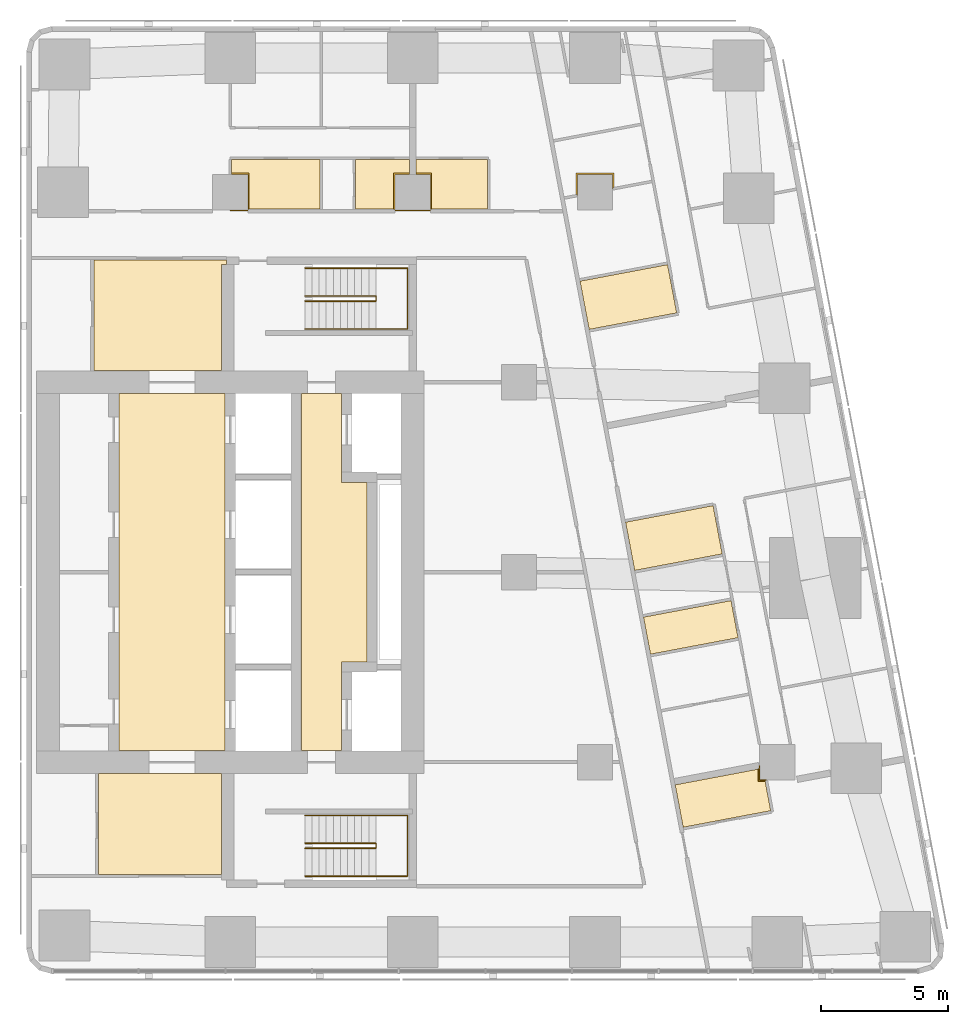
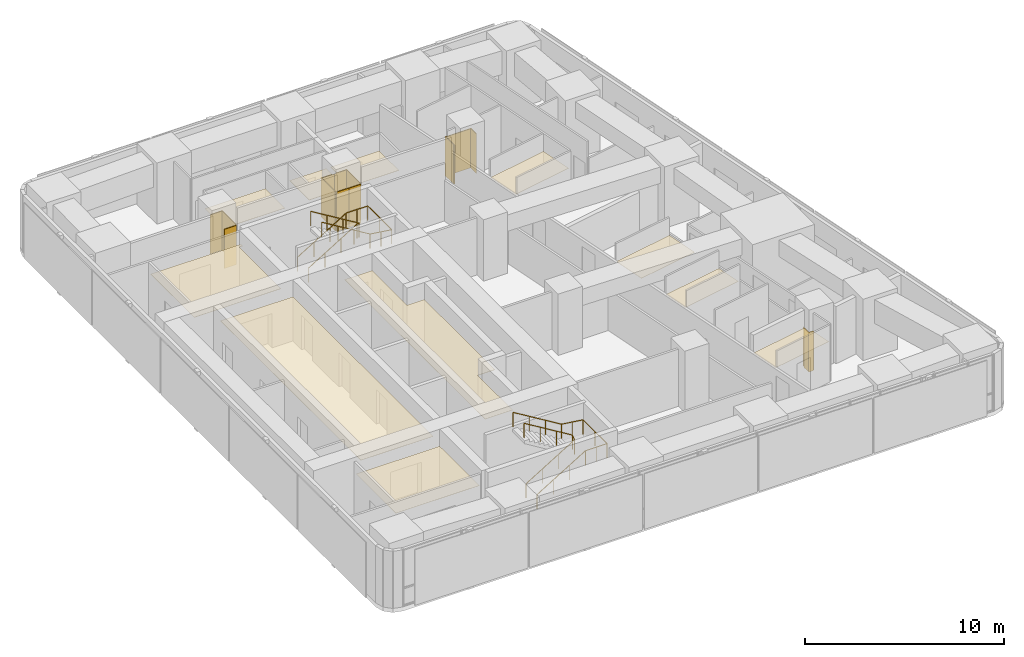
# One storey, part 11 of 11: 16 coverings, 4 railings.
"""IFC4 building model written with IfcOpenShell, lengths in metres."""

from ifc_helpers import new_model, si_unit, direction, frame, origin, origin_2d, place, context, subcontext, project, spatial, polyline, circle, outline, extrude, material, layer, layer_set, type_object, element, save


model = new_model("IFC4")

# Units and contexts
model_context = context("Model", 3, precision=1e-05, world=origin(), true_north=direction((0.0, 1.0)))
body_context = subcontext(model_context, "Body", "Model", "MODEL_VIEW")
ifc_project = project(units=[si_unit("LENGTHUNIT", "METRE"), si_unit("AREAUNIT", "SQUARE_METRE"), si_unit("VOLUMEUNIT", "CUBIC_METRE"), si_unit("PLANEANGLEUNIT", "RADIAN"), si_unit("MASSUNIT", "GRAM", prefix="KILO")], contexts=[model_context])

# Site, building, storey
site_placement = place(None, origin())
site = spatial("IfcSite", under=ifc_project, at=site_placement, CompositionType="ELEMENT")
building_placement = place(site_placement, origin())
building = spatial("IfcBuilding", under=site, at=building_placement, Name="Sheger Commons Tower", CompositionType="ELEMENT")
storey_placement = place(building_placement, frame((0.0, 0.0, 281.60009765625)))
storey = spatial("IfcBuildingStorey", under=building, at=storey_placement, Name="L72", CompositionType="ELEMENT", Elevation=281.60009765625)

# Railings
ifc_material_1 = material(Name="Steel handrail, black powder-coated", Category="steel")
railing_type = type_object("IfcRailingType", Name="HANDRAIL 900", PredefinedType="HANDRAIL", material=ifc_material_1)
railing_1_placement = place(storey_placement, frame((24.550048828125, 11.60009765625, 0.17041015625)))
element("IfcRailing", 1, at=railing_1_placement, inside=storey, type_object=railing_type, Name="Stair S1 handrail L72", PredefinedType="HANDRAIL", context=body_context, shape_type="SweptSolid", body=[
    extrude(circle(Radius=0.02392578125, at=origin_2d()), frame((0.0, 0.0, 0.8759765625), z_axis=(0.854169791009, 0.0, 0.51999420009), x_axis=(0.0, 1.0, 0.0)), (0.0, 0.0, 1.0), 3.278076171875),
    extrude(circle(Radius=0.02392578125, at=origin_2d()), frame((2.800048828125, 0.0, 2.58056640625), z_axis=(0.0, 0.761090297175, 0.648645943136), x_axis=(-1.0, 0.0, 0.0)), (0.0, 0.0, 1.0), 0.2626953125),
    extrude(circle(Radius=0.02392578125, at=origin_2d()), frame((2.800048828125, 0.199951171875, 2.7509765625), z_axis=(-0.854169791009, 0.0, 0.51999420009), x_axis=(0.0, -1.0, 0.0)), (0.0, 0.0, 1.0), 3.278076171875),
    extrude(circle(Radius=0.02099609375, at=origin_2d()), origin(), (0.0, 0.0, 1.0), 0.851806640625),
    extrude(circle(Radius=0.02099609375, at=origin_2d()), frame((0.933349609375, 0.0, 0.568115234375)), (0.0, 0.0, 1.0), 0.851806640625),
    extrude(circle(Radius=0.02099609375, at=origin_2d()), frame((1.86669921875, 0.0, 1.136474609375)), (0.0, 0.0, 1.0), 0.851806640625),
    extrude(circle(Radius=0.02099609375, at=origin_2d()), frame((2.800048828125, 0.0, 1.70458984375)), (0.0, 0.0, 1.0), 0.851806640625),
    extrude(circle(Radius=0.02099609375, at=origin_2d()), frame((2.800048828125, 0.199951171875, 1.875)), (0.0, 0.0, 1.0), 0.851806640625),
    extrude(circle(Radius=0.02099609375, at=origin_2d()), frame((1.86669921875, 0.199951171875, 2.443115234375)), (0.0, 0.0, 1.0), 0.851806640625),
    extrude(circle(Radius=0.02099609375, at=origin_2d()), frame((0.933349609375, 0.199951171875, 3.011474609375)), (0.0, 0.0, 1.0), 0.851806640625),
    extrude(circle(Radius=0.02099609375, at=origin_2d()), frame((0.0, 0.199951171875, 3.57958984375)), (0.0, 0.0, 1.0), 0.851806640625),
])
railing_2_placement = place(storey_placement, frame((24.550048828125, 10.5, 0.17041015625)))
element("IfcRailing", 2, at=railing_2_placement, inside=storey, type_object=railing_type, Name="Stair S1 handrail L72", PredefinedType="HANDRAIL", context=body_context, shape_type="SweptSolid", body=[
    extrude(circle(Radius=0.02392578125, at=origin_2d()), frame((0.0, 0.0, 0.8759765625), z_axis=(0.854169791009, 0.0, 0.51999420009), x_axis=(0.0, 1.0, 0.0)), (0.0, 0.0, 1.0), 3.278076171875),
    extrude(circle(Radius=0.02392578125, at=origin_2d()), frame((2.800048828125, 0.0, 2.58056640625), z_axis=(1.0, 0.0, 0.0), x_axis=(0.0, 1.0, 0.0)), (0.0, 0.0, 1.0), 1.25),
    extrude(circle(Radius=0.02392578125, at=origin_2d()), frame((4.050048828125, 0.0, 2.58056640625), z_axis=(0.0, 1.0, 0.0), x_axis=(-1.0, 0.0, 0.0)), (0.0, 0.0, 1.0), 2.39990234375),
    extrude(circle(Radius=0.02392578125, at=origin_2d()), frame((4.050048828125, 2.39990234375, 2.58056640625), z_axis=(-0.990834877927, 0.0, 0.135078661092), x_axis=(0.0, -1.0, 0.0)), (0.0, 0.0, 1.0), 1.261474609375),
    extrude(circle(Radius=0.02392578125, at=origin_2d()), frame((2.800048828125, 2.39990234375, 2.7509765625), z_axis=(-0.854169791009, 0.0, 0.51999420009), x_axis=(0.0, -1.0, 0.0)), (0.0, 0.0, 1.0), 3.278076171875),
    extrude(circle(Radius=0.02099609375, at=origin_2d()), origin(), (0.0, 0.0, 1.0), 0.851806640625),
    extrude(circle(Radius=0.02099609375, at=origin_2d()), frame((0.933349609375, 0.0, 0.568115234375)), (0.0, 0.0, 1.0), 0.851806640625),
    extrude(circle(Radius=0.02099609375, at=origin_2d()), frame((1.86669921875, 0.0, 1.136474609375)), (0.0, 0.0, 1.0), 0.851806640625),
    extrude(circle(Radius=0.02099609375, at=origin_2d()), frame((2.800048828125, 0.0, 1.70458984375)), (0.0, 0.0, 1.0), 0.851806640625),
    extrude(circle(Radius=0.02099609375, at=origin_2d()), frame((3.425048828125, 0.0, 1.70458984375)), (0.0, 0.0, 1.0), 0.851806640625),
    extrude(circle(Radius=0.02099609375, at=origin_2d()), frame((4.050048828125, 0.0, 1.70458984375)), (0.0, 0.0, 1.0), 0.851806640625),
    extrude(circle(Radius=0.02099609375, at=origin_2d()), frame((4.050048828125, 1.199951171875, 1.70458984375)), (0.0, 0.0, 1.0), 0.851806640625),
    extrude(circle(Radius=0.02099609375, at=origin_2d()), frame((4.050048828125, 2.39990234375, 1.70458984375)), (0.0, 0.0, 1.0), 0.851806640625),
    extrude(circle(Radius=0.02099609375, at=origin_2d()), frame((3.425048828125, 2.39990234375, 1.789794921875)), (0.0, 0.0, 1.0), 0.851806640625),
    extrude(circle(Radius=0.02099609375, at=origin_2d()), frame((2.800048828125, 2.39990234375, 1.875)), (0.0, 0.0, 1.0), 0.851806640625),
    extrude(circle(Radius=0.02099609375, at=origin_2d()), frame((1.86669921875, 2.39990234375, 2.443115234375)), (0.0, 0.0, 1.0), 0.851806640625),
    extrude(circle(Radius=0.02099609375, at=origin_2d()), frame((0.933349609375, 2.39990234375, 3.011474609375)), (0.0, 0.0, 1.0), 0.851806640625),
    extrude(circle(Radius=0.02099609375, at=origin_2d()), frame((0.0, 2.39990234375, 3.57958984375)), (0.0, 0.0, 1.0), 0.851806640625),
])
railing_3_placement = place(storey_placement, frame((24.550048828125, 33.39990234375, 0.17041015625)))
element("IfcRailing", 3, at=railing_3_placement, inside=storey, type_object=railing_type, Name="Stair S2 handrail L72", PredefinedType="HANDRAIL", context=body_context, shape_type="SweptSolid", body=[
    extrude(circle(Radius=0.02392578125, at=origin_2d()), frame((0.0, 0.0, 0.8759765625), z_axis=(0.854169791009, 0.0, 0.51999420009), x_axis=(0.0, 1.0, 0.0)), (0.0, 0.0, 1.0), 3.278076171875),
    extrude(circle(Radius=0.02392578125, at=origin_2d()), frame((2.800048828125, 0.0, 2.58056640625), z_axis=(0.0, -0.761090297175, 0.648645943136), x_axis=(1.0, 0.0, 0.0)), (0.0, 0.0, 1.0), 0.2626953125),
    extrude(circle(Radius=0.02392578125, at=origin_2d()), frame((2.800048828125, -0.199951171875, 2.7509765625), z_axis=(-0.854169791009, 0.0, 0.51999420009), x_axis=(0.0, -1.0, 0.0)), (0.0, 0.0, 1.0), 3.278076171875),
    extrude(circle(Radius=0.02099609375, at=origin_2d()), origin(), (0.0, 0.0, 1.0), 0.851806640625),
    extrude(circle(Radius=0.02099609375, at=origin_2d()), frame((0.933349609375, 0.0, 0.568115234375)), (0.0, 0.0, 1.0), 0.851806640625),
    extrude(circle(Radius=0.02099609375, at=origin_2d()), frame((1.86669921875, 0.0, 1.136474609375)), (0.0, 0.0, 1.0), 0.851806640625),
    extrude(circle(Radius=0.02099609375, at=origin_2d()), frame((2.800048828125, 0.0, 1.70458984375)), (0.0, 0.0, 1.0), 0.851806640625),
    extrude(circle(Radius=0.02099609375, at=origin_2d()), frame((2.800048828125, -0.199951171875, 1.875)), (0.0, 0.0, 1.0), 0.851806640625),
    extrude(circle(Radius=0.02099609375, at=origin_2d()), frame((1.86669921875, -0.199951171875, 2.443115234375)), (0.0, 0.0, 1.0), 0.851806640625),
    extrude(circle(Radius=0.02099609375, at=origin_2d()), frame((0.933349609375, -0.199951171875, 3.011474609375)), (0.0, 0.0, 1.0), 0.851806640625),
    extrude(circle(Radius=0.02099609375, at=origin_2d()), frame((0.0, -0.199951171875, 3.57958984375)), (0.0, 0.0, 1.0), 0.851806640625),
])
railing_4_placement = place(storey_placement, frame((24.550048828125, 34.5, 0.17041015625)))
element("IfcRailing", 4, at=railing_4_placement, inside=storey, type_object=railing_type, Name="Stair S2 handrail L72", PredefinedType="HANDRAIL", context=body_context, shape_type="SweptSolid", body=[
    extrude(circle(Radius=0.02392578125, at=origin_2d()), frame((0.0, 0.0, 0.8759765625), z_axis=(0.854169791009, 0.0, 0.51999420009), x_axis=(0.0, 1.0, 0.0)), (0.0, 0.0, 1.0), 3.278076171875),
    extrude(circle(Radius=0.02392578125, at=origin_2d()), frame((2.800048828125, 0.0, 2.58056640625), z_axis=(1.0, 0.0, 0.0), x_axis=(0.0, 1.0, 0.0)), (0.0, 0.0, 1.0), 1.25),
    extrude(circle(Radius=0.02392578125, at=origin_2d()), frame((4.050048828125, 0.0, 2.58056640625), z_axis=(0.0, -1.0, 0.0), x_axis=(1.0, 0.0, 0.0)), (0.0, 0.0, 1.0), 2.39990234375),
    extrude(circle(Radius=0.02392578125, at=origin_2d()), frame((4.050048828125, -2.39990234375, 2.58056640625), z_axis=(-0.990834877927, 0.0, 0.135078661092), x_axis=(0.0, -1.0, 0.0)), (0.0, 0.0, 1.0), 1.261474609375),
    extrude(circle(Radius=0.02392578125, at=origin_2d()), frame((2.800048828125, -2.39990234375, 2.7509765625), z_axis=(-0.854169791009, 0.0, 0.51999420009), x_axis=(0.0, -1.0, 0.0)), (0.0, 0.0, 1.0), 3.278076171875),
    extrude(circle(Radius=0.02099609375, at=origin_2d()), origin(), (0.0, 0.0, 1.0), 0.851806640625),
    extrude(circle(Radius=0.02099609375, at=origin_2d()), frame((0.933349609375, 0.0, 0.568115234375)), (0.0, 0.0, 1.0), 0.851806640625),
    extrude(circle(Radius=0.02099609375, at=origin_2d()), frame((1.86669921875, 0.0, 1.136474609375)), (0.0, 0.0, 1.0), 0.851806640625),
    extrude(circle(Radius=0.02099609375, at=origin_2d()), frame((2.800048828125, 0.0, 1.70458984375)), (0.0, 0.0, 1.0), 0.851806640625),
    extrude(circle(Radius=0.02099609375, at=origin_2d()), frame((3.425048828125, 0.0, 1.70458984375)), (0.0, 0.0, 1.0), 0.851806640625),
    extrude(circle(Radius=0.02099609375, at=origin_2d()), frame((4.050048828125, 0.0, 1.70458984375)), (0.0, 0.0, 1.0), 0.851806640625),
    extrude(circle(Radius=0.02099609375, at=origin_2d()), frame((4.050048828125, -1.199951171875, 1.70458984375)), (0.0, 0.0, 1.0), 0.851806640625),
    extrude(circle(Radius=0.02099609375, at=origin_2d()), frame((4.050048828125, -2.39990234375, 1.70458984375)), (0.0, 0.0, 1.0), 0.851806640625),
    extrude(circle(Radius=0.02099609375, at=origin_2d()), frame((3.425048828125, -2.39990234375, 1.789794921875)), (0.0, 0.0, 1.0), 0.851806640625),
    extrude(circle(Radius=0.02099609375, at=origin_2d()), frame((2.800048828125, -2.39990234375, 1.875)), (0.0, 0.0, 1.0), 0.851806640625),
    extrude(circle(Radius=0.02099609375, at=origin_2d()), frame((1.86669921875, -2.39990234375, 2.443115234375)), (0.0, 0.0, 1.0), 0.851806640625),
    extrude(circle(Radius=0.02099609375, at=origin_2d()), frame((0.933349609375, -2.39990234375, 3.011474609375)), (0.0, 0.0, 1.0), 0.851806640625),
    extrude(circle(Radius=0.02099609375, at=origin_2d()), frame((0.0, -2.39990234375, 3.57958984375)), (0.0, 0.0, 1.0), 0.851806640625),
])

# Coverings
ifc_material_2 = material(Name="Moisture-resistant gypsum plasterboard 15 mm on a suspended galvanised steel grid", Category="steel")
ifc_layer_1 = layer(ifc_material_2, 0.014892578125)
ifc_layer_set_1 = layer_set([ifc_layer_1], Name="MOISTURE-RESISTANT CEILING 15")
covering_type_1 = type_object("IfcCoveringType", Name="MOISTURE-RESISTANT CEILING 15", PredefinedType="CEILING", material=ifc_layer_set_1)
covering_1_placement = place(storey_placement, frame((0.0, 0.0, 2.39990234375)))
element("IfcCovering", 5, at=covering_1_placement, inside=storey, type_object=covering_type_1, Name="L72-01.B1 ceiling", PredefinedType="CEILING", context=body_context, shape_type="SweptSolid", body=[
    extrude(outline(polyline([(35.77001953125, 32.083984375), (39.22509765625, 32.736083984375), (38.864990234375, 34.64208984375), (35.409912109375, 33.989990234375), (35.77001953125, 32.083984375)])), origin(), (0.0, 0.0, 1.0), 0.014892578125),
])
covering_2_placement = place(storey_placement, frame((0.0, 0.0, 2.39990234375)))
element("IfcCovering", 6, at=covering_2_placement, inside=storey, type_object=covering_type_1, Name="L72-02.B1 ceiling", PredefinedType="CEILING", context=body_context, shape_type="SweptSolid", body=[
    extrude(outline(polyline([(37.568115234375, 22.569091796875), (41.02197265625, 23.220947265625), (40.662109375, 25.1279296875), (37.2080078125, 24.47509765625), (37.568115234375, 22.569091796875)])), origin(), (0.0, 0.0, 1.0), 0.014892578125),
])
covering_3_placement = place(storey_placement, frame((0.0, 0.0, 2.39990234375)))
element("IfcCovering", 7, at=covering_3_placement, inside=storey, type_object=covering_type_1, Name="L72-02.B2 ceiling", PredefinedType="CEILING", context=body_context, shape_type="SweptSolid", body=[
    extrude(outline(polyline([(38.19189453125, 19.260986328125), (41.64697265625, 19.9140625), (41.37109375, 21.3779296875), (37.916015625, 20.72607421875), (38.19189453125, 19.260986328125)])), origin(), (0.0, 0.0, 1.0), 0.014892578125),
])
covering_4_placement = place(storey_placement, frame((0.0, 0.0, 2.39990234375)))
element("IfcCovering", 8, at=covering_4_placement, inside=storey, type_object=covering_type_1, Name="L72-03.B1 ceiling", PredefinedType="CEILING", context=body_context, shape_type="SweptSolid", body=[
    extrude(outline(polyline([(39.48291015625, 12.429931640625), (42.93701171875, 13.0830078125), (42.7099609375, 14.284912109375), (42.7529296875, 14.29296875), (42.7529296875, 14.294921875), (42.4951171875, 14.294921875), (42.4951171875, 14.73388671875), (39.166015625, 14.10498046875), (39.48291015625, 12.429931640625)])), origin(), (0.0, 0.0, 1.0), 0.014892578125),
])
covering_5_placement = place(storey_placement, frame((0.0, 0.0, 2.39990234375)))
element("IfcCovering", 9, at=covering_5_placement, inside=storey, type_object=covering_type_1, Name="L72-04.B1 ceiling", PredefinedType="CEILING", context=body_context, shape_type="SweptSolid", body=[
    extrude(outline(polyline([(22.304931640625, 36.830078125), (25.14501953125, 36.830078125), (25.14501953125, 38.794921875), (21.655029296875, 38.794921875), (21.655029296875, 38.205078125), (22.304931640625, 38.205078125), (22.304931640625, 36.830078125)])), origin(), (0.0, 0.0, 1.0), 0.014892578125),
])
covering_6_placement = place(storey_placement, frame((0.0, 0.0, 2.39990234375)))
element("IfcCovering", 10, at=covering_6_placement, inside=storey, type_object=covering_type_1, Name="L72-04.B2 ceiling", PredefinedType="CEILING", context=body_context, shape_type="SweptSolid", body=[
    extrude(outline(polyline([(26.554931640625, 36.830078125), (28.094970703125, 36.830078125), (28.094970703125, 38.205078125), (28.669921875, 38.205078125), (28.669921875, 38.794921875), (26.554931640625, 38.794921875), (26.554931640625, 36.830078125)])), origin(), (0.0, 0.0, 1.0), 0.014892578125),
])
covering_7_placement = place(storey_placement, frame((0.0, 0.0, 2.39990234375)))
element("IfcCovering", 11, at=covering_7_placement, inside=storey, type_object=covering_type_1, Name="L72-05.B1 ceiling", PredefinedType="CEILING", context=body_context, shape_type="SweptSolid", body=[
    extrude(outline(polyline([(29.5048828125, 36.830078125), (31.7490234375, 36.830078125), (31.7490234375, 38.794921875), (28.929931640625, 38.794921875), (28.929931640625, 38.205078125), (29.5048828125, 38.205078125), (29.5048828125, 36.830078125)])), origin(), (0.0, 0.0, 1.0), 0.014892578125),
])
ifc_material_3 = material(Name="Gypsum plasterboard 15 mm on a suspended steel grid", Category="steel")
ifc_layer_2 = layer(ifc_material_3, 0.014892578125)
ifc_layer_set_2 = layer_set([ifc_layer_2], Name="SUSPENDED CEILING 15")
covering_type_2 = type_object("IfcCoveringType", Name="SUSPENDED CEILING 15", PredefinedType="CEILING", material=ifc_layer_set_2)
covering_8_placement = place(storey_placement, frame((0.0, 0.0, 2.699951171875)))
element("IfcCovering", 12, at=covering_8_placement, inside=storey, type_object=covering_type_2, Name="L72-SVS1 ceiling", PredefinedType="CEILING", context=body_context, shape_type="SweptSolid", body=[
    extrude(outline(polyline([(16.406982421875, 10.568115234375), (21.2451171875, 10.568115234375), (21.2451171875, 14.544921875), (16.406982421875, 14.544921875), (16.406982421875, 10.568115234375)])), origin(), (0.0, 0.0, 1.0), 0.014892578125),
])
covering_9_placement = place(storey_placement, frame((0.0, 0.0, 2.699951171875)))
element("IfcCovering", 13, at=covering_9_placement, inside=storey, type_object=covering_type_2, Name="L72-SVN1 ceiling", PredefinedType="CEILING", context=body_context, shape_type="SweptSolid", body=[
    extrude(outline(polyline([(16.217041015625, 30.455078125), (21.2451171875, 30.455078125), (21.2451171875, 34.655029296875), (21.445068359375, 34.655029296875), (21.445068359375, 34.83203125), (16.217041015625, 34.83203125), (16.217041015625, 30.455078125)])), origin(), (0.0, 0.0, 1.0), 0.014892578125),
])
covering_10_placement = place(storey_placement, frame((0.0, 0.0, 2.699951171875)))
element("IfcCovering", 14, at=covering_10_placement, inside=storey, type_object=covering_type_2, Name="L72-LL ceiling", PredefinedType="CEILING", context=body_context, shape_type="SweptSolid", body=[
    extrude(outline(polyline([(17.205078125, 15.455078125), (21.39990234375, 15.455078125), (21.39990234375, 29.544921875), (17.205078125, 29.544921875), (17.205078125, 15.455078125)])), origin(), (0.0, 0.0, 1.0), 0.014892578125),
])
covering_11_placement = place(storey_placement, frame((0.0, 0.0, 2.699951171875)))
element("IfcCovering", 15, at=covering_11_placement, inside=storey, type_object=covering_type_2, Name="L72-FL ceiling", PredefinedType="CEILING", context=body_context, shape_type="SweptSolid", body=[
    extrude(outline(polyline([(24.405029296875, 15.455078125), (25.9951171875, 15.455078125), (25.9951171875, 18.955078125), (26.9951171875, 18.955078125), (26.9951171875, 26.044921875), (25.9951171875, 26.044921875), (25.9951171875, 29.544921875), (24.405029296875, 29.544921875), (24.405029296875, 15.455078125)])), origin(), (0.0, 0.0, 1.0), 0.014892578125),
])
ifc_material_4 = material(Name="Moisture-resistant gypsum board 12.5 mm on 25 mm treated timber battens, tanked and tiled", Category="wood")
ifc_layer_3 = layer(ifc_material_4, 0.050048828125)
ifc_layer_set_3 = layer_set([ifc_layer_3], Name="WET-ROOM COLUMN LINING")
covering_type_3 = type_object("IfcCoveringType", Name="WET-ROOM COLUMN LINING", PredefinedType="CLADDING", material=ifc_layer_set_3)
covering_12_placement = place(storey_placement, origin())
element("IfcCovering", 16, at=covering_12_placement, inside=storey, type_object=covering_type_3, Name="Shower room column lining C11 L72", PredefinedType="CLADDING", context=body_context, shape_type="SweptSolid", body=[
    extrude(outline(polyline([(42.5, 14.866943359375), (42.5, 14.300048828125), (42.762939453125, 14.300048828125), (42.764892578125, 14.2900390625), (42.716064453125, 14.281005859375), (42.721923828125, 14.25), (42.449951171875, 14.25), (42.449951171875, 14.73095703125), (42.4990234375, 14.739990234375), (42.47607421875, 14.862060546875), (42.5, 14.866943359375)])), origin(), (0.0, 0.0, 1.0), 2.39990234375),
])
covering_13_placement = place(storey_placement, origin())
element("IfcCovering", 17, at=covering_13_placement, inside=storey, type_object=covering_type_3, Name="Bathroom column lining C11 L72", PredefinedType="CLADDING", context=body_context, shape_type="SweptSolid", body=[
    extrude(outline(polyline([(22.35009765625, 36.824951171875), (22.301025390625, 36.824951171875), (22.301025390625, 36.75), (21.60009765625, 36.75), (21.60009765625, 36.800048828125), (22.300048828125, 36.800048828125), (22.300048828125, 38.199951171875), (21.60009765625, 38.199951171875), (21.60009765625, 38.200927734375), (21.64990234375, 38.200927734375), (21.64990234375, 38.25), (22.35009765625, 38.25), (22.35009765625, 36.824951171875)])), origin(), (0.0, 0.0, 1.0), 2.39990234375),
])
covering_14_placement = place(storey_placement, origin())
element("IfcCovering", 18, at=covering_14_placement, inside=storey, type_object=covering_type_3, Name="Shower room column lining C11 L72", PredefinedType="CLADDING", context=body_context, shape_type="SweptSolid", body=[
    extrude(outline(polyline([(28.675048828125, 38.25), (28.675048828125, 38.200927734375), (28.800048828125, 38.200927734375), (28.800048828125, 38.199951171875), (28.10009765625, 38.199951171875), (28.10009765625, 36.800048828125), (28.800048828125, 36.800048828125), (28.800048828125, 36.75), (28.09912109375, 36.75), (28.09912109375, 36.824951171875), (28.050048828125, 36.824951171875), (28.050048828125, 38.25), (28.675048828125, 38.25)])), origin(), (0.0, 0.0, 1.0), 2.39990234375),
])
covering_15_placement = place(storey_placement, origin())
element("IfcCovering", 19, at=covering_15_placement, inside=storey, type_object=covering_type_3, Name="Shower room column lining C11 L72", PredefinedType="CLADDING", context=body_context, shape_type="SweptSolid", body=[
    extrude(outline(polyline([(29.550048828125, 36.824951171875), (29.5009765625, 36.824951171875), (29.5009765625, 36.75), (28.800048828125, 36.75), (28.800048828125, 36.800048828125), (29.5, 36.800048828125), (29.5, 38.199951171875), (28.800048828125, 38.199951171875), (28.800048828125, 38.200927734375), (28.925048828125, 38.200927734375), (28.925048828125, 38.25), (29.550048828125, 38.25), (29.550048828125, 36.824951171875)])), origin(), (0.0, 0.0, 1.0), 2.39990234375),
])
covering_16_placement = place(storey_placement, origin())
element("IfcCovering", 20, at=covering_16_placement, inside=storey, type_object=covering_type_3, Name="Laundry room column lining C11 L72", PredefinedType="CLADDING", context=body_context, shape_type="SweptSolid", body=[
    extrude(outline(polyline([(36.75, 38.25), (36.75, 37.69189453125), (36.700927734375, 37.68310546875), (36.7099609375, 37.635009765625), (36.699951171875, 37.633056640625), (36.699951171875, 38.199951171875), (35.300048828125, 38.199951171875), (35.300048828125, 37.367919921875), (35.2900390625, 37.365966796875), (35.281005859375, 37.4150390625), (35.25, 37.408935546875), (35.25, 38.25), (36.75, 38.25)])), origin(), (0.0, 0.0, 1.0), 2.39990234375),
])

save(model, "model.ifc")
